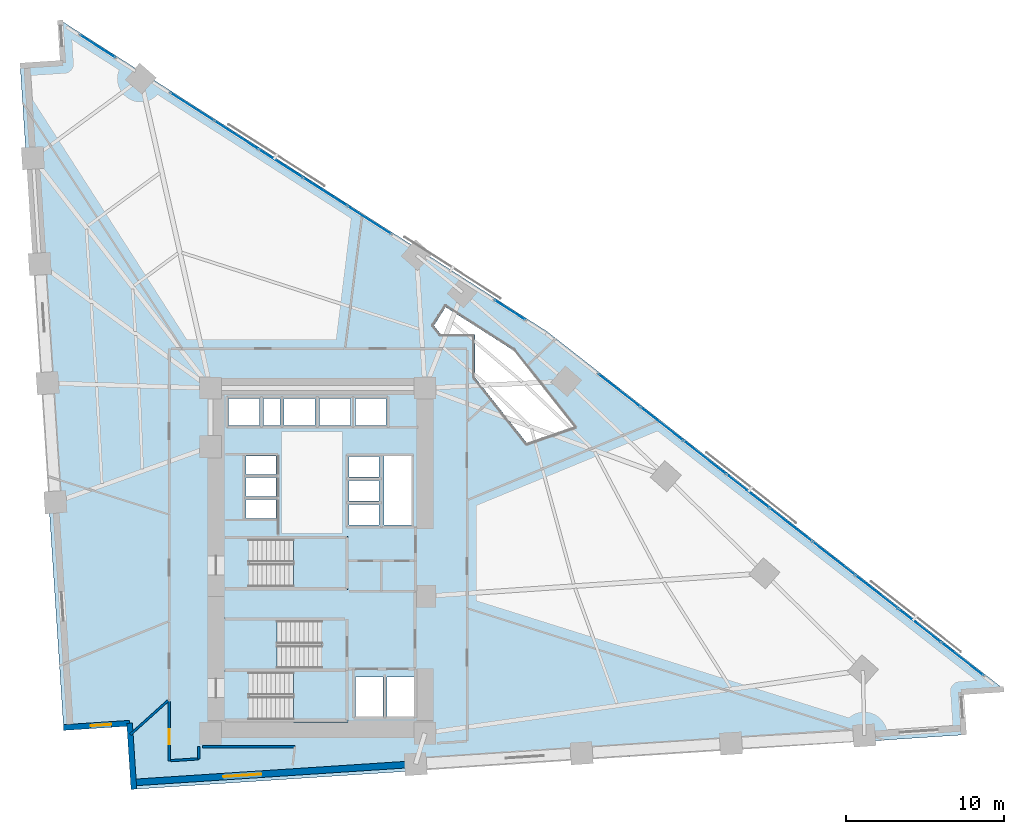
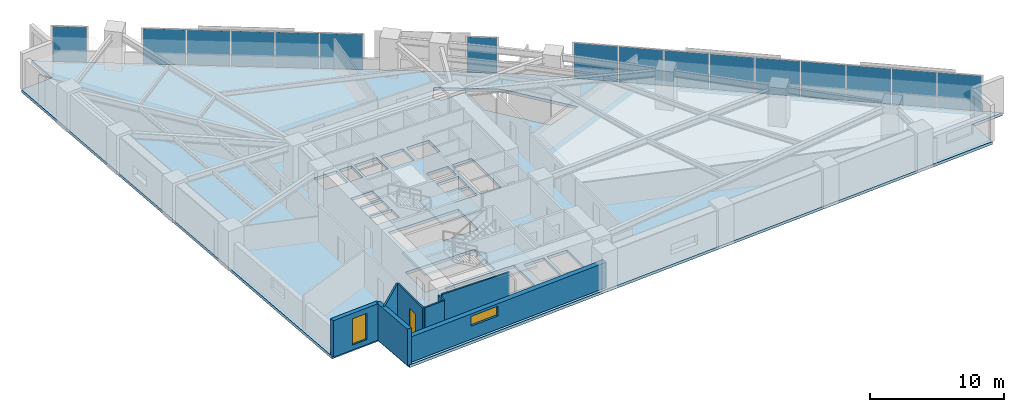
# One storey, part 11 of 16: 16 plates, 8 walls, 4 slabs, 2 windows, 1 door, 3 openings, 7 elements without a shape of their own.
"""IFC4 building model written with IfcOpenShell, lengths in metres."""

import ifcopenshell
import ifcopenshell.guid

model = None  # the IFC model being written
_history = None  # IfcOwnerHistory: only IFC2X3 demands one
_inside = {}  # id of a spatial element -> (the spatial element, [elements in it])
_under = {}  # id of a project, library or spatial element -> (it, [spatial elements below it])
_declared = {}  # id of a project -> (the project, [libraries it declares])
_typed = {}  # id of a type object -> (the type object, [elements of that type])
_made_of = {}  # id of a material, layer set ... -> (it, [elements and type objects made of it])


def new_model(schema):
    """Start an empty IFC model of exactly this schema.

    Asked for "IFC4X3", IfcOpenShell would pick the latest addendum, in which some entities
    have other attributes; the version numbers below select the first issue.
    IFC2X3 requires an IfcOwnerHistory on every rooted entity: one is made here for all.
    """
    global model, _history
    if schema == "IFC4X3":
        model = ifcopenshell.file(schema_version=(4, 3, 0, 0))
    else:
        model = ifcopenshell.file(schema=schema)
    _inside.clear()
    _under.clear()
    _declared.clear()
    _typed.clear()
    _made_of.clear()
    _history = None
    if model.schema == "IFC2X3":
        org = make("IfcOrganization", Name="unknown")
        user = make(
            "IfcPersonAndOrganization",
            ThePerson=make("IfcPerson", FamilyName="unknown"),
            TheOrganization=org,
        )
        app = make(
            "IfcApplication",
            ApplicationDeveloper=org,
            Version="unknown",
            ApplicationFullName="unknown",
            ApplicationIdentifier="unknown",
        )
        _history = make(
            "IfcOwnerHistory",
            OwningUser=user,
            OwningApplication=app,
            ChangeAction="ADDED",
            CreationDate=0,
        )
    return model


def make(cls, **values):
    """One entity of the class cls with the attributes given. An attribute that is None is left unset."""
    return model.create_entity(
        cls, **{name: value for name, value in values.items() if value is not None}
    )


def rooted(cls, **values):
    """An entity with a GlobalId (a new one), such as an element, a storey or a relation."""
    return make(cls, GlobalId=ifcopenshell.guid.new(), OwnerHistory=_history, **values)


def si_unit(unit_type, name, prefix=None):
    """IfcSIUnit, for example si_unit("LENGTHUNIT", "METRE", prefix="MILLI")."""
    return make("IfcSIUnit", UnitType=unit_type, Prefix=prefix, Name=name)


def assignment(units):
    """IfcUnitAssignment: the units of a project."""
    return None if units is None else make("IfcUnitAssignment", Units=units)


def point(xyz):
    """IfcCartesianPoint."""
    return None if xyz is None else make("IfcCartesianPoint", Coordinates=xyz)


def direction(xyz):
    """IfcDirection."""
    return None if xyz is None else make("IfcDirection", DirectionRatios=xyz)


def frame(location, z_axis=None, x_axis=None):
    """IfcAxis2Placement3D, a coordinate frame: its origin and axes. An axis left out is left unset."""
    return make(
        "IfcAxis2Placement3D",
        Location=point(location),
        Axis=direction(z_axis),
        RefDirection=direction(x_axis),
    )


def frame_2d(location, x_axis=None):
    """IfcAxis2Placement2D, a coordinate frame in the plane: its origin and x axis."""
    return make(
        "IfcAxis2Placement2D", Location=point(location), RefDirection=direction(x_axis)
    )


def origin():
    """The frame at (0, 0, 0) with its axes left unset."""
    return frame((0.0, 0.0, 0.0))


def origin_2d():
    """The frame at (0, 0) in the plane with its x axis left unset."""
    return frame_2d((0.0, 0.0))


def place(relative_to, where):
    """IfcLocalPlacement: puts the frame where relative to a parent placement (None: the world)."""
    return make(
        "IfcLocalPlacement", PlacementRelTo=relative_to, RelativePlacement=where
    )


def context(
    kind, dimensions, precision=None, world=None, true_north=None, identifier=None
):
    """IfcGeometricRepresentationContext, for example the 3D "Model" context."""
    return make(
        "IfcGeometricRepresentationContext",
        ContextIdentifier=identifier,
        ContextType=kind,
        CoordinateSpaceDimension=dimensions,
        Precision=precision,
        WorldCoordinateSystem=world,
        TrueNorth=true_north,
    )


def subcontext(parent, identifier, kind, view, scale=None):
    """IfcGeometricRepresentationSubContext, for example "Body" below "Model"."""
    return make(
        "IfcGeometricRepresentationSubContext",
        ContextIdentifier=identifier,
        ContextType=kind,
        ParentContext=parent,
        TargetScale=scale,
        TargetView=view,
    )


def project(units=None, contexts=None):
    """IfcProject with its units and contexts."""
    return rooted(
        "IfcProject",
        Name="project",
        RepresentationContexts=contexts,
        UnitsInContext=assignment(units),
    )


def spatial(cls, under=None, at=None, **own):
    """A site, building, storey or space (cls), placed at a placement, below another one or the project."""
    s = rooted(cls, ObjectPlacement=at, **own)
    if under is not None:
        _under.setdefault(under.id(), (under, []))[1].append(s)
    return s


def polyline(points):
    """IfcPolyline through the points."""
    return make("IfcPolyline", Points=[point(p) for p in points])


def profile(cls, at=None, kind="AREA", **sizes):
    """A parametric profile (cls). Its sizes go by their IFC names, for example OverallWidth=200.0."""
    return make(cls, ProfileType=kind, Position=at, **sizes)


def rectangle(**sizes):
    """IfcRectangleProfileDef."""
    return profile("IfcRectangleProfileDef", **sizes)


def outline(outer, holes=None, kind="AREA"):
    """IfcArbitraryClosedProfileDef: a profile drawn as a closed curve; with holes, ...WithVoids."""
    if holes is None:
        return make("IfcArbitraryClosedProfileDef", ProfileType=kind, OuterCurve=outer)
    return make(
        "IfcArbitraryProfileDefWithVoids",
        ProfileType=kind,
        OuterCurve=outer,
        InnerCurves=holes,
    )


def extrude(swept, where, along, depth):
    """IfcExtrudedAreaSolid: the profile swept, set in the frame where, extruded along a direction by depth."""
    return make(
        "IfcExtrudedAreaSolid",
        SweptArea=swept,
        Position=where,
        ExtrudedDirection=direction(along),
        Depth=depth,
    )


def shape(context_of_items, identifier, shape_type, items):
    """IfcShapeRepresentation: the items that make up one representation, for example the "Body"."""
    return make(
        "IfcShapeRepresentation",
        ContextOfItems=context_of_items,
        RepresentationIdentifier=identifier,
        RepresentationType=shape_type,
        Items=items,
    )


def material(Name=None, Category=None):
    """IfcMaterial."""
    return make("IfcMaterial", Name=Name, Category=Category)


def layer(
    of_material, thickness, ventilated=None, Name=None, Category=None, Priority=None
):
    """IfcMaterialLayer: one layer of a wall or slab, of a material (None: an air gap)."""
    return make(
        "IfcMaterialLayer",
        Material=of_material,
        LayerThickness=thickness,
        IsVentilated=ventilated,
        Name=Name,
        Category=Category,
        Priority=Priority,
    )


def layer_set(layers, Name=None):
    """IfcMaterialLayerSet."""
    return make("IfcMaterialLayerSet", MaterialLayers=layers, LayerSetName=Name)


def made_of(thing, what):
    """Note that an element or type object is made of a material, layer set ...; save() writes the relation."""
    if what is not None:
        _made_of.setdefault(what.id(), (what, []))[1].append(thing)
    return thing


def type_object(cls, material=None, **own):
    """A type object (cls), such as IfcWallType, which elements share."""
    return made_of(rooted(cls, **own), material)


def element(
    cls,
    number,
    at=None,
    inside=None,
    cuts=None,
    type_object=None,
    material=None,
    context=None,
    identifier="Body",
    shape_type=None,
    held_by="IfcProductDefinitionShape",
    body=None,
    shapes=None,
    **own,
):
    """One element of the class cls, such as IfcWall. Its Tag is "e" and its number.

    at: its placement. inside: the storey or other place that contains it. cuts: it is an
    opening in that element (IfcRelVoidsElement). A single representation is given by context,
    identifier, shape_type and body (its items); several are given by shapes. held_by: the class
    of the entity that holds the representations. save() writes the other relations.
    """
    e = rooted(cls, Tag="e%d" % number, ObjectPlacement=at, **own)
    if body is not None:
        shapes = [shape(context, identifier, shape_type, body)]
    if shapes is not None:
        e.Representation = make(held_by, Representations=shapes)
    if inside is not None:
        _inside.setdefault(inside.id(), (inside, []))[1].append(e)
    if cuts is not None:
        rooted(
            "IfcRelVoidsElement", RelatingBuildingElement=cuts, RelatedOpeningElement=e
        )
    if type_object is not None:
        _typed.setdefault(type_object.id(), (type_object, []))[1].append(e)
    return made_of(e, material)


def fill(opening, filler):
    """IfcRelFillsElement: the door or window that sits in an opening."""
    return rooted(
        "IfcRelFillsElement",
        RelatingOpeningElement=opening,
        RelatedBuildingElement=filler,
    )


def aggregate(whole, parts):
    """IfcRelAggregates: a whole, such as a stair, and the parts it consists of."""
    return rooted("IfcRelAggregates", RelatingObject=whole, RelatedObjects=parts)


def save(model, path):
    """Write the relations noted so far, then the file.

    IfcRelAggregates (storeys below a building ...), IfcRelContainedInSpatialStructure (elements
    in a storey), IfcRelDefinesByType, IfcRelAssociatesMaterial and IfcRelDeclares: one each for
    every whole, place, type object, material and project.
    """
    for whole, parts in _under.values():
        aggregate(whole, parts)
    for where, things in _inside.values():
        rooted(
            "IfcRelContainedInSpatialStructure",
            RelatedElements=things,
            RelatingStructure=where,
        )
    for kind, things in _typed.values():
        rooted("IfcRelDefinesByType", RelatedObjects=things, RelatingType=kind)
    for what, things in _made_of.values():
        rooted("IfcRelAssociatesMaterial", RelatedObjects=things, RelatingMaterial=what)
    for by, libraries in _declared.values():
        rooted("IfcRelDeclares", RelatingContext=by, RelatedDefinitions=libraries)
    model.write(path)


model = new_model("IFC4")

# Units and contexts
model_context = context("Model", 3, precision=1e-05, world=origin(), true_north=direction((0.0, 1.0)))
body_context = subcontext(model_context, "Body", "Model", "MODEL_VIEW")
ifc_project = project(units=[si_unit("LENGTHUNIT", "METRE"), si_unit("AREAUNIT", "SQUARE_METRE"), si_unit("VOLUMEUNIT", "CUBIC_METRE"), si_unit("PLANEANGLEUNIT", "RADIAN"), si_unit("MASSUNIT", "GRAM", prefix="KILO")], contexts=[model_context])

# Site, building, storey
site_placement = place(None, origin())
site = spatial("IfcSite", under=ifc_project, at=site_placement, CompositionType="ELEMENT")
building_placement = place(site_placement, origin())
building = spatial("IfcBuilding", under=site, at=building_placement, Name="Narakoshi Arena Tower", CompositionType="ELEMENT")
storey_placement = place(building_placement, frame((0.0, 0.0, 77.699951171875)))
storey = spatial("IfcBuildingStorey", under=building, at=storey_placement, Name="L20", CompositionType="ELEMENT", Elevation=77.699951171875)

# Curtain wall, plates
ifc_material_1 = material(Name="Anodised bronze aluminium 6063-T6", Category="aluminium")
curtain_wall_type = type_object("IfcCurtainWallType", Name="CW-HYP-LOW", PredefinedType="NOTDEFINED", material=ifc_material_1)
curtain_wall_1_placement = place(storey_placement, origin())
curtain_wall_1 = element("IfcCurtainWall", 1, at=curtain_wall_1_placement, inside=storey, type_object=curtain_wall_type, Name="L20 Folded Hypotenuse Curtain Wall 1-1", PredefinedType="NOTDEFINED")
ifc_material_2 = material(Name="Bronze-tinted low-E laminated glass", Category="glass")
ifc_layer_1 = layer(ifc_material_2, 0.031982421875)
ifc_layer_set_1 = layer_set([ifc_layer_1], Name="Bronze-tinted low-E laminated glass")
plate_type = type_object("IfcPlateType", Name="PLT-GLZ-32", PredefinedType="CURTAIN_PANEL", material=ifc_layer_set_1)
plate_1_placement = place(storey_placement, frame((119.491455078125, 39.385986328125, 0.065185546875), z_axis=(0.0, 0.0, 1.0), x_axis=(-0.787387607817, 0.616458234641, 0.0)))
plate_1 = element("IfcPlate", 2, at=plate_1_placement, type_object=plate_type, Name="CW-01 panel 1.1", PredefinedType="CURTAIN_PANEL", context=body_context, shape_type="SweptSolid", body=[
    extrude(rectangle(XDim=3.331298828125, YDim=0.031982421875, at=origin_2d()), origin(), (0.0, 0.0, 1.0), 3.2099609375),
])
plate_2_placement = place(storey_placement, frame((116.794677734375, 41.497314453125, 0.065185546875), z_axis=(0.0, 0.0, 1.0), x_axis=(-0.787387607817, 0.616458234641, 0.0)))
plate_2 = element("IfcPlate", 3, at=plate_2_placement, type_object=plate_type, Name="CW-01 panel 2.1", PredefinedType="CURTAIN_PANEL", context=body_context, shape_type="SweptSolid", body=[
    extrude(rectangle(XDim=3.36865234375, YDim=0.031982421875, at=origin_2d()), origin(), (0.0, 0.0, 1.0), 3.2099609375),
])
plate_3_placement = place(storey_placement, frame((114.083251953125, 43.620361328125, 0.065185546875), z_axis=(0.0, 0.0, 1.0), x_axis=(-0.787387607817, 0.616458234641, 0.0)))
plate_3 = element("IfcPlate", 4, at=plate_3_placement, type_object=plate_type, Name="CW-01 panel 3.1", PredefinedType="CURTAIN_PANEL", context=body_context, shape_type="SweptSolid", body=[
    extrude(rectangle(XDim=3.36865234375, YDim=0.031982421875, at=origin_2d()), origin(), (0.0, 0.0, 1.0), 3.2099609375),
])
plate_4_placement = place(storey_placement, frame((111.37158203125, 45.7431640625, 0.065185546875), z_axis=(0.0, 0.0, 1.0), x_axis=(-0.787387607817, 0.616458234641, 0.0)))
plate_4 = element("IfcPlate", 5, at=plate_4_placement, type_object=plate_type, Name="CW-01 panel 4.1", PredefinedType="CURTAIN_PANEL", context=body_context, shape_type="SweptSolid", body=[
    extrude(rectangle(XDim=3.36865234375, YDim=0.031982421875, at=origin_2d()), origin(), (0.0, 0.0, 1.0), 3.2099609375),
])
plate_5_placement = place(storey_placement, frame((108.66015625, 47.8662109375, 0.065185546875), z_axis=(0.0, 0.0, 1.0), x_axis=(-0.787387607817, 0.616458234641, 0.0)))
plate_5 = element("IfcPlate", 6, at=plate_5_placement, type_object=plate_type, Name="CW-01 panel 5.1", PredefinedType="CURTAIN_PANEL", context=body_context, shape_type="SweptSolid", body=[
    extrude(rectangle(XDim=3.36865234375, YDim=0.031982421875, at=origin_2d()), origin(), (0.0, 0.0, 1.0), 3.2099609375),
])
plate_6_placement = place(storey_placement, frame((105.948486328125, 49.989013671875, 0.065185546875), z_axis=(0.0, 0.0, 1.0), x_axis=(-0.787387607817, 0.616458234641, 0.0)))
plate_6 = element("IfcPlate", 7, at=plate_6_placement, type_object=plate_type, Name="CW-01 panel 6.1", PredefinedType="CURTAIN_PANEL", context=body_context, shape_type="SweptSolid", body=[
    extrude(rectangle(XDim=3.36865234375, YDim=0.031982421875, at=origin_2d()), origin(), (0.0, 0.0, 1.0), 3.2099609375),
])
plate_7_placement = place(storey_placement, frame((103.237060546875, 52.11181640625, 0.065185546875), z_axis=(0.0, 0.0, 1.0), x_axis=(-0.787387607817, 0.616458234641, 0.0)))
plate_7 = element("IfcPlate", 8, at=plate_7_placement, type_object=plate_type, Name="CW-01 panel 7.1", PredefinedType="CURTAIN_PANEL", context=body_context, shape_type="SweptSolid", body=[
    extrude(rectangle(XDim=3.36865234375, YDim=0.031982421875, at=origin_2d()), origin(), (0.0, 0.0, 1.0), 3.2099609375),
])
plate_8_placement = place(storey_placement, frame((100.525634765625, 54.23486328125, 0.065185546875), z_axis=(0.0, 0.0, 1.0), x_axis=(-0.787387607817, 0.616458234641, 0.0)))
plate_8 = element("IfcPlate", 9, at=plate_8_placement, type_object=plate_type, Name="CW-01 panel 8.1", PredefinedType="CURTAIN_PANEL", context=body_context, shape_type="SweptSolid", body=[
    extrude(rectangle(XDim=3.36865234375, YDim=0.031982421875, at=origin_2d()), origin(), (0.0, 0.0, 1.0), 3.2099609375),
])
plate_9_placement = place(storey_placement, frame((97.828857421875, 56.34619140625, 0.065185546875), z_axis=(0.0, 0.0, 1.0), x_axis=(-0.787387607817, 0.616458234641, 0.0)))
plate_9 = element("IfcPlate", 10, at=plate_9_placement, type_object=plate_type, Name="CW-01 panel 9.1", PredefinedType="CURTAIN_PANEL", context=body_context, shape_type="SweptSolid", body=[
    extrude(rectangle(XDim=3.331298828125, YDim=0.031982421875, at=origin_2d()), origin(), (0.0, 0.0, 1.0), 3.2099609375),
])
aggregate(curtain_wall_1, [plate_1, plate_2, plate_3, plate_4, plate_5, plate_6, plate_7, plate_8, plate_9])

# Curtain wall, plate
curtain_wall_2_placement = place(storey_placement, origin())
curtain_wall_2 = element("IfcCurtainWall", 11, at=curtain_wall_2_placement, inside=storey, type_object=curtain_wall_type, Name="L20 Folded Hypotenuse Curtain Wall 2-1", PredefinedType="NOTDEFINED")
plate_10_placement = place(storey_placement, frame((90.921142578125, 61.4287109375, 0.065185546875), z_axis=(0.0, 0.0, 1.0), x_axis=(-0.842419407448, 0.538822365864, 0.0)))
plate_10 = element("IfcPlate", 12, at=plate_10_placement, type_object=plate_type, Name="CW-01 panel 1.1", PredefinedType="CURTAIN_PANEL", context=body_context, shape_type="SweptSolid", body=[
    extrude(rectangle(XDim=2.25439453125, YDim=0.031982421875, at=origin_2d()), origin(), (0.0, 0.0, 1.0), 3.2099609375),
])
aggregate(curtain_wall_2, [plate_10])

# Curtain wall, plates
curtain_wall_3_placement = place(storey_placement, origin())
curtain_wall_3 = element("IfcCurtainWall", 13, at=curtain_wall_3_placement, inside=storey, type_object=curtain_wall_type, Name="L20 Folded Hypotenuse Curtain Wall 2-2", PredefinedType="NOTDEFINED")
plate_11_placement = place(storey_placement, frame((82.033447265625, 67.113525390625, 0.065185546875), z_axis=(0.0, 0.0, 1.0), x_axis=(-0.842415100992, 0.538829098714, 0.0)))
plate_11 = element("IfcPlate", 14, at=plate_11_placement, type_object=plate_type, Name="CW-01 panel 1.1", PredefinedType="CURTAIN_PANEL", context=body_context, shape_type="SweptSolid", body=[
    extrude(rectangle(XDim=3.2158203125, YDim=0.031982421875, at=origin_2d()), origin(), (0.0, 0.0, 1.0), 3.2099609375),
])
plate_12_placement = place(storey_placement, frame((79.24560546875, 68.896728515625, 0.065185546875), z_axis=(0.0, 0.0, 1.0), x_axis=(-0.842415100992, 0.538829098714, 0.0)))
plate_12 = element("IfcPlate", 15, at=plate_12_placement, type_object=plate_type, Name="CW-01 panel 2.1", PredefinedType="CURTAIN_PANEL", context=body_context, shape_type="SweptSolid", body=[
    extrude(rectangle(XDim=3.253173828125, YDim=0.031982421875, at=origin_2d()), origin(), (0.0, 0.0, 1.0), 3.2099609375),
])
plate_13_placement = place(storey_placement, frame((76.441650390625, 70.690185546875, 0.065185546875), z_axis=(0.0, 0.0, 1.0), x_axis=(-0.842415100992, 0.538829098714, 0.0)))
plate_13 = element("IfcPlate", 16, at=plate_13_placement, type_object=plate_type, Name="CW-01 panel 3.1", PredefinedType="CURTAIN_PANEL", context=body_context, shape_type="SweptSolid", body=[
    extrude(rectangle(XDim=3.253173828125, YDim=0.031982421875, at=origin_2d()), origin(), (0.0, 0.0, 1.0), 3.2099609375),
])
plate_14_placement = place(storey_placement, frame((73.637939453125, 72.4833984375, 0.065185546875), z_axis=(0.0, 0.0, 1.0), x_axis=(-0.842415100992, 0.538829098714, 0.0)))
plate_14 = element("IfcPlate", 17, at=plate_14_placement, type_object=plate_type, Name="CW-01 panel 4.1", PredefinedType="CURTAIN_PANEL", context=body_context, shape_type="SweptSolid", body=[
    extrude(rectangle(XDim=3.253173828125, YDim=0.031982421875, at=origin_2d()), origin(), (0.0, 0.0, 1.0), 3.2099609375),
])
plate_15_placement = place(storey_placement, frame((70.85009765625, 74.266845703125, 0.065185546875), z_axis=(0.0, 0.0, 1.0), x_axis=(-0.842415100992, 0.538829098714, 0.0)))
plate_15 = element("IfcPlate", 18, at=plate_15_placement, type_object=plate_type, Name="CW-01 panel 5.1", PredefinedType="CURTAIN_PANEL", context=body_context, shape_type="SweptSolid", body=[
    extrude(rectangle(XDim=3.2158203125, YDim=0.031982421875, at=origin_2d()), origin(), (0.0, 0.0, 1.0), 3.2099609375),
])
aggregate(curtain_wall_3, [plate_11, plate_12, plate_13, plate_14, plate_15])

# Curtain wall, plate
curtain_wall_4_placement = place(storey_placement, origin())
curtain_wall_4 = element("IfcCurtainWall", 19, at=curtain_wall_4_placement, inside=storey, type_object=curtain_wall_type, Name="L20 Folded Hypotenuse Curtain Wall 2-3", PredefinedType="NOTDEFINED")
plate_16_placement = place(storey_placement, frame((64.867919921875, 78.093017578125, 0.065185546875), z_axis=(0.0, 0.0, 1.0), x_axis=(-0.842407418791, 0.538841109017, 0.0)))
plate_16 = element("IfcPlate", 20, at=plate_16_placement, type_object=plate_type, Name="CW-01 panel 1.1", PredefinedType="CURTAIN_PANEL", context=body_context, shape_type="SweptSolid", body=[
    extrude(rectangle(XDim=2.60009765625, YDim=0.031982421875, at=origin_2d()), origin(), (0.0, 0.0, 1.0), 3.2099609375),
])
aggregate(curtain_wall_4, [plate_16])

# Stair, slab
ifc_material_3 = material(Name="Concrete C45/55", Category="concrete")
stair_type = type_object("IfcStairType", Name="STR-CORE-360", PredefinedType="TWO_STRAIGHT_RUN_STAIR", material=ifc_material_3)
stair_1_placement = place(storey_placement, origin())
stair_1 = element("IfcStair", 21, at=stair_1_placement, inside=storey, type_object=stair_type, Name="L20 Core Escape Stair ST1", PredefinedType="TWO_STRAIGHT_RUN_STAIR")
ifc_layer_2 = layer(ifc_material_3, 0.18994140625)
ifc_layer_set_2 = layer_set([ifc_layer_2], Name="Concrete C45/55")
slab_type_1 = type_object("IfcSlabType", Name="SLB-LND-190", PredefinedType="LANDING", material=ifc_layer_set_2)
slab_1_placement = place(storey_placement, frame((0.0, 0.0, 1.610107421875)))
slab_1 = element("IfcSlab", 22, at=slab_1_placement, type_object=slab_type_1, Name="ST1 landing 1", PredefinedType="LANDING", context=body_context, shape_type="SweptSolid", body=[
    extrude(outline(polyline([(77.25, 35.3701171875), (80.679931640625, 35.3701171875), (80.679931640625, 38.72998046875), (77.25, 38.72998046875), (77.25, 35.3701171875)])), origin(), (0.0, 0.0, 1.0), 0.18994140625),
])
aggregate(stair_1, [slab_1])

stair_2_placement = place(storey_placement, origin())
stair_2 = element("IfcStair", 23, at=stair_2_placement, inside=storey, type_object=stair_type, Name="L20 Core Escape Stair ST2", PredefinedType="TWO_STRAIGHT_RUN_STAIR")
slab_2_placement = place(storey_placement, frame((0.0, 0.0, 1.610107421875)))
slab_2 = element("IfcSlab", 24, at=slab_2_placement, type_object=slab_type_1, Name="ST2 landing 1", PredefinedType="LANDING", context=body_context, shape_type="SweptSolid", body=[
    extrude(outline(polyline([(72.77001953125, 38.6201171875), (76.199951171875, 38.6201171875), (76.199951171875, 41.97998046875), (72.77001953125, 41.97998046875), (72.77001953125, 38.6201171875)])), origin(), (0.0, 0.0, 1.0), 0.18994140625),
])
aggregate(stair_2, [slab_2])

stair_3_placement = place(storey_placement, origin())
stair_3 = element("IfcStair", 25, at=stair_3_placement, inside=storey, type_object=stair_type, Name="L20 Core Escape Stair ST3", PredefinedType="TWO_STRAIGHT_RUN_STAIR")
slab_3_placement = place(storey_placement, frame((0.0, 0.0, 1.610107421875)))
slab_3 = element("IfcSlab", 26, at=slab_3_placement, type_object=slab_type_1, Name="ST3 landing 1", PredefinedType="LANDING", context=body_context, shape_type="SweptSolid", body=[
    extrude(outline(polyline([(77.25, 43.77001953125), (80.679931640625, 43.77001953125), (80.679931640625, 47.1298828125), (77.25, 47.1298828125), (77.25, 43.77001953125)])), origin(), (0.0, 0.0, 1.0), 0.18994140625),
])
aggregate(stair_3, [slab_3])

# Slab
ifc_material_4 = material(Name="Concrete C50/60", Category="concrete")
ifc_layer_3 = layer(ifc_material_4, 0.260009765625)
ifc_layer_set_3 = layer_set([ifc_layer_3], Name="Concrete C50/60")
slab_type_2 = type_object("IfcSlabType", Name="SLB-SKY-260", PredefinedType="FLOOR", material=ifc_layer_set_3)
slab_4_placement = place(storey_placement, frame((0.0, 0.0, -0.260009765625)))
element("IfcSlab", 27, at=slab_4_placement, inside=storey, type_object=slab_type_2, Name="L20 Structural Floor Slab", PredefinedType="FLOOR", context=body_context, shape_type="SweptSolid", body=[
    extrude(outline(polyline([(67.160888671875, 31.15869140625), (119.58447265625, 34.594482421875), (119.40673828125, 37.30517578125), (122.1171875, 37.48291015625), (93.26220703125, 60.07373046875), (62.5107421875, 79.743408203125), (62.688232421875, 77.03271484375), (59.977783203125, 76.85498046875), (62.717529296875, 35.055419921875), (66.887451171875, 35.32861328125), (67.160888671875, 31.15869140625)]), holes=[polyline([(74.47998046875, 35.550048828125), (74.47998046875, 38.550048828125), (80.5, 38.550048828125), (80.5, 35.550048828125), (74.47998046875, 35.550048828125)]), polyline([(81.14990234375, 35.75), (81.14990234375, 38.25), (82.89990234375, 38.25), (82.89990234375, 35.75), (81.14990234375, 35.75)]), polyline([(83.14990234375, 35.75), (83.14990234375, 38.25), (84.89990234375, 38.25), (84.89990234375, 35.75), (83.14990234375, 35.75)]), polyline([(72.949951171875, 38.800048828125), (72.949951171875, 41.800048828125), (78.969970703125, 41.800048828125), (78.969970703125, 38.800048828125), (72.949951171875, 38.800048828125)]), polyline([(74.47998046875, 43.949951171875), (74.47998046875, 46.949951171875), (80.5, 46.949951171875), (80.5, 43.949951171875), (74.47998046875, 43.949951171875)]), polyline([(82.949951171875, 47.840087890625), (82.949951171875, 52.199951171875), (84.699951171875, 52.199951171875), (84.699951171875, 47.840087890625), (82.949951171875, 47.840087890625)]), polyline([(80.75, 47.85009765625), (80.75, 49.14990234375), (82.64990234375, 49.14990234375), (82.64990234375, 47.85009765625), (80.75, 47.85009765625)]), polyline([(74.25, 48.25), (74.25, 49.449951171875), (76.14990234375, 49.449951171875), (76.14990234375, 48.25), (74.25, 48.25)]), polyline([(80.75, 49.3701171875), (80.75, 50.669921875), (82.64990234375, 50.669921875), (82.64990234375, 49.3701171875), (80.75, 49.3701171875)]), polyline([(74.25, 49.64990234375), (74.25, 50.85009765625), (76.14990234375, 50.85009765625), (76.14990234375, 49.64990234375), (74.25, 49.64990234375)]), polyline([(80.75, 50.889892578125), (80.75, 52.18994140625), (82.64990234375, 52.18994140625), (82.64990234375, 50.889892578125), (80.75, 50.889892578125)]), polyline([(74.25, 51.050048828125), (74.25, 52.2099609375), (76.14990234375, 52.2099609375), (76.14990234375, 51.050048828125), (74.25, 51.050048828125)]), polyline([(91.15478515625, 58.86962890625), (94.96044921875, 54.05859375), (91.984375, 53.02880859375), (88.699951171875, 57.1806640625), (88.699951171875, 59.89990234375), (86.548828125, 59.89990234375), (86.112548828125, 60.451416015625), (86.85400390625, 61.620361328125), (91.15478515625, 58.86962890625)]), polyline([(73.14990234375, 54.14990234375), (73.14990234375, 55.85009765625), (75.10009765625, 55.85009765625), (75.10009765625, 54.14990234375), (73.14990234375, 54.14990234375)]), polyline([(75.35009765625, 55.85009765625), (76.39990234375, 55.85009765625), (76.39990234375, 54.14990234375), (75.35009765625, 54.14990234375), (75.35009765625, 55.85009765625)]), polyline([(76.64990234375, 55.85009765625), (78.60009765625, 55.85009765625), (78.60009765625, 54.14990234375), (76.64990234375, 54.14990234375), (76.64990234375, 55.85009765625)]), polyline([(78.89990234375, 54.14990234375), (78.89990234375, 55.85009765625), (80.85009765625, 55.85009765625), (80.85009765625, 54.14990234375), (78.89990234375, 54.14990234375)]), polyline([(81.14990234375, 55.85009765625), (83.10009765625, 55.85009765625), (83.10009765625, 54.14990234375), (81.14990234375, 54.14990234375), (81.14990234375, 55.85009765625)])]), origin(), (0.0, 0.0, 1.0), 0.260009765625),
])

# Wall, opening, window
ifc_material_5 = material(Name="Precast concrete C45/55", Category="concrete")
ifc_layer_4 = layer(ifc_material_5, 0.419921875)
ifc_layer_set_4 = layer_set([ifc_layer_4], Name="Precast concrete C45/55")
wall_type_1 = type_object("IfcWallType", Name="WL-POD-420", PredefinedType="SOLIDWALL", material=ifc_layer_set_4)
wall_1_placement = place(storey_placement, frame((67.133056640625, 31.582763671875, 0.0), z_axis=(0.0, 0.0, 1.0), x_axis=(0.997859040617, 0.065401338356, 0.0)))
wall_1 = element("IfcWall", 28, at=wall_1_placement, inside=storey, type_object=wall_type_1, Name="L20 Architectural Concrete Facade Wall LEGA-1", PredefinedType="SOLIDWALL", context=body_context, shape_type="SweptSolid", body=[
    extrude(rectangle(XDim=17.8623046875, YDim=0.419921875, at=frame_2d((8.93115234375, 0.0))), origin(), (0.0, 0.0, 1.0), 2.324951171875),
])
opening_1_placement = place(wall_1_placement, frame((5.699951171875, 0.0, 1.199951171875)))
opening_1 = element("IfcOpeningElement", 29, at=opening_1_placement, cuts=wall_1, Name="Opening WN-01", PredefinedType="OPENING", context=body_context, shape_type="SweptSolid", body=[
    extrude(rectangle(XDim=2.39990234375, YDim=0.89990234375, at=frame_2d((1.199951171875, 0.449951171875))), frame((0.0, 0.219970703125, 0.0), z_axis=(0.0, -1.0, 0.0), x_axis=(1.0, 0.0, 0.0)), (0.0, 0.0, 1.0), 0.43994140625),
])
window_type_1 = type_object("IfcWindowType", Name="WIN-SLT-24x09", PartitioningType="SINGLE_PANEL", PredefinedType="WINDOW", material=ifc_material_2)
window_1_placement = place(opening_1_placement, origin())
window_1 = element("IfcWindow", 30, at=window_1_placement, inside=storey, type_object=window_type_1, Name="L20 LEGA1 Horizontal Slot Window 1", OverallHeight=0.89990234375, OverallWidth=2.39990234375, PartitioningType="SINGLE_PANEL", PredefinedType="WINDOW", context=body_context, shape_type="SweptSolid", body=[
    extrude(rectangle(XDim=2.39990234375, YDim=0.89990234375, at=frame_2d((1.199951171875, 0.449951171875))), frame((0.0, 0.030029296875, 0.0), z_axis=(0.0, -1.0, 0.0), x_axis=(1.0, 0.0, 0.0)), (0.0, 0.0, 1.0), 0.06005859375),
])
fill(opening_1, window_1)

wall_2_placement = place(storey_placement, frame((62.717529296875, 35.055419921875, 0.0), z_axis=(0.0, 0.0, 1.0), x_axis=(0.997860761953, 0.065375069826, 0.0)))
wall_2 = element("IfcWall", 31, at=wall_2_placement, inside=storey, type_object=wall_type_1, Name="L20 Re-Entrant Corner Notch Wall NTA-1", PredefinedType="SOLIDWALL", context=body_context, shape_type="SweptSolid", body=[
    extrude(rectangle(XDim=4.178955078125, YDim=0.360107421875, at=frame_2d((2.08935546875, 0.0))), origin(), (0.0, 0.0, 1.0), 3.340087890625),
])
opening_2_placement = place(wall_2_placement, frame((1.71435546875, 0.0, 0.449951171875)))
opening_2 = element("IfcOpeningElement", 32, at=opening_2_placement, cuts=wall_2, Name="Opening WN-06", PredefinedType="OPENING", context=body_context, shape_type="SweptSolid", body=[
    extrude(rectangle(XDim=1.300048828125, YDim=2.39990234375, at=frame_2d((0.64990234375, 1.199951171875))), frame((0.0, 0.18994140625, 0.0), z_axis=(0.0, -1.0, 0.0), x_axis=(1.0, 0.0, 0.0)), (0.0, 0.0, 1.0), 0.380126953125),
])
window_type_2 = type_object("IfcWindowType", Name="WIN-NTC-16x24", PartitioningType="SINGLE_PANEL", PredefinedType="WINDOW", material=ifc_material_2)
window_2_placement = place(opening_2_placement, origin())
window_2 = element("IfcWindow", 33, at=window_2_placement, inside=storey, type_object=window_type_2, Name="L20 Corner Notch Window NTA", OverallHeight=2.39990234375, OverallWidth=1.300048828125, PartitioningType="SINGLE_PANEL", PredefinedType="WINDOW", context=body_context, shape_type="SweptSolid", body=[
    extrude(rectangle(XDim=1.300048828125, YDim=2.39990234375, at=frame_2d((0.64990234375, 1.199951171875))), frame((0.0, 0.030029296875, 0.0), z_axis=(0.0, -1.0, 0.0), x_axis=(1.0, 0.0, 0.0)), (0.0, 0.0, 1.0), 0.06005859375),
])
fill(opening_2, window_2)

# Walls
wall_3_placement = place(storey_placement, frame((66.887451171875, 35.32861328125, 0.0), z_axis=(0.0, 0.0, 1.0), x_axis=(0.065433242561, -0.99785694905, 0.0)))
element("IfcWall", 34, at=wall_3_placement, inside=storey, type_object=wall_type_1, Name="L20 Re-Entrant Corner Notch Wall NTA-2", PredefinedType="SOLIDWALL", context=body_context, shape_type="SweptSolid", body=[
    extrude(rectangle(XDim=4.178955078125, YDim=0.360107421875, at=frame_2d((2.08935546875, 0.0))), origin(), (0.0, 0.0, 1.0), 3.340087890625),
])
ifc_material_6 = material(Name="Moisture-resistant cement-board partition")
ifc_layer_5 = layer(ifc_material_6, 0.14501953125)
ifc_layer_set_5 = layer_set([ifc_layer_5], Name="Moisture-resistant cement-board partition")
wall_type_2 = type_object("IfcWallType", Name="WL-WET-145", PredefinedType="PARTITIONING", material=ifc_layer_set_5)
wall_4_placement = place(storey_placement, frame((69.32763671875, 36.7666015625, 0.0), z_axis=(0.0, 0.0, 1.0), x_axis=(-0.743211196689, -0.669056886308, 0.0)))
element("IfcWall", 35, at=wall_4_placement, inside=storey, type_object=wall_type_2, Name="L20 Inter-Room Partition 02-03", PredefinedType="PARTITIONING", context=body_context, shape_type="SweptSolid", body=[
    extrude(rectangle(XDim=3.219970703125, YDim=0.14501953125, at=frame_2d((1.60986328125, 0.0))), origin(), (0.0, 0.0, 1.0), 3.340087890625),
])

# Wall, opening, door
wall_5_placement = place(storey_placement, frame((69.402587890625, 36.691162109375, 0.0), z_axis=(0.0, 0.0, 1.0), x_axis=(0.0, -1.0, 0.0)))
wall_5 = element("IfcWall", 36, at=wall_5_placement, inside=storey, type_object=wall_type_2, Name="L20 Corridor Partition 03-1", PredefinedType="PARTITIONING", context=body_context, shape_type="SweptSolid", body=[
    extrude(rectangle(XDim=3.732177734375, YDim=0.14501953125, at=frame_2d((1.8662109375, 0.0))), origin(), (0.0, 0.0, 1.0), 3.340087890625),
])
opening_3_placement = place(wall_5_placement, frame((1.748291015625, 0.0, 0.0)))
opening_3 = element("IfcOpeningElement", 37, at=opening_3_placement, cuts=wall_5, Name="Opening D-07", PredefinedType="OPENING", context=body_context, shape_type="SweptSolid", body=[
    extrude(rectangle(XDim=0.949951171875, YDim=2.14990234375, at=frame_2d((0.47509765625, 1.074951171875))), frame((0.0, 0.08251953125, 0.0), z_axis=(0.0, -1.0, 0.0), x_axis=(1.0, 0.0, 0.0)), (0.0, 0.0, 1.0), 0.1650390625),
])
ifc_material_7 = material(Name="Stained oak solid-core timber", Category="wood")
door_type = type_object("IfcDoorType", Name="DR-ACC-950", OperationType="NOTDEFINED", PredefinedType="DOOR", material=ifc_material_7)
door_placement = place(opening_3_placement, frame((0.949951171875, 0.0, 0.0), z_axis=(0.0, 0.0, 1.0), x_axis=(-1.0, 0.0, 0.0)))
door = element("IfcDoor", 38, at=door_placement, inside=storey, type_object=door_type, Name="DR-L20-016", OperationType="SINGLE_SWING_LEFT", OverallHeight=2.14990234375, OverallWidth=0.949951171875, PredefinedType="DOOR", context=body_context, shape_type="SweptSolid", body=[
    extrude(rectangle(XDim=0.949951171875, YDim=2.14990234375, at=frame_2d((0.47509765625, 1.074951171875))), frame((0.0, 0.02490234375, 0.0), z_axis=(0.0, -1.0, 0.0), x_axis=(1.0, 0.0, 0.0)), (0.0, 0.0, 1.0), 0.050048828125),
])
fill(opening_3, door)

# Walls
wall_6_placement = place(storey_placement, frame((69.487060546875, 32.964599609375, 0.0), z_axis=(0.0, 0.0, 1.0), x_axis=(0.99786153194, 0.065363315968, 0.0)))
element("IfcWall", 39, at=wall_6_placement, inside=storey, type_object=wall_type_2, Name="L20 Corridor Partition 03-2", PredefinedType="PARTITIONING", context=body_context, shape_type="SweptSolid", body=[
    extrude(rectangle(XDim=1.7666015625, YDim=0.14501953125, at=frame_2d((0.88330078125, 0.0))), origin(), (0.0, 0.0, 1.0), 3.340087890625),
])
wall_7_placement = place(storey_placement, frame((71.25, 33.080078125, 0.0), z_axis=(0.0, 0.0, 1.0), x_axis=(0.0, 1.0, 0.0)))
element("IfcWall", 40, at=wall_7_placement, inside=storey, type_object=wall_type_2, Name="L20 Corridor Partition 03-3", PredefinedType="PARTITIONING", context=body_context, shape_type="SweptSolid", body=[
    extrude(rectangle(XDim=0.77001953125, YDim=0.14501953125, at=frame_2d((0.385009765625, 0.0))), origin(), (0.0, 0.0, 1.0), 3.340087890625),
])
wall_8_placement = place(storey_placement, frame((71.482421875, 33.85009765625, 0.0), z_axis=(0.0, 0.0, 1.0), x_axis=(1.0, 0.0, 0.0)))
element("IfcWall", 41, at=wall_8_placement, inside=storey, type_object=wall_type_2, Name="L20 Room Enclosure Partition 03-1", PredefinedType="PARTITIONING", context=body_context, shape_type="SweptSolid", body=[
    extrude(rectangle(XDim=5.852294921875, YDim=0.14501953125, at=frame_2d((2.92626953125, 0.0))), origin(), (0.0, 0.0, 1.0), 3.340087890625),
])

save(model, "model.ifc")
